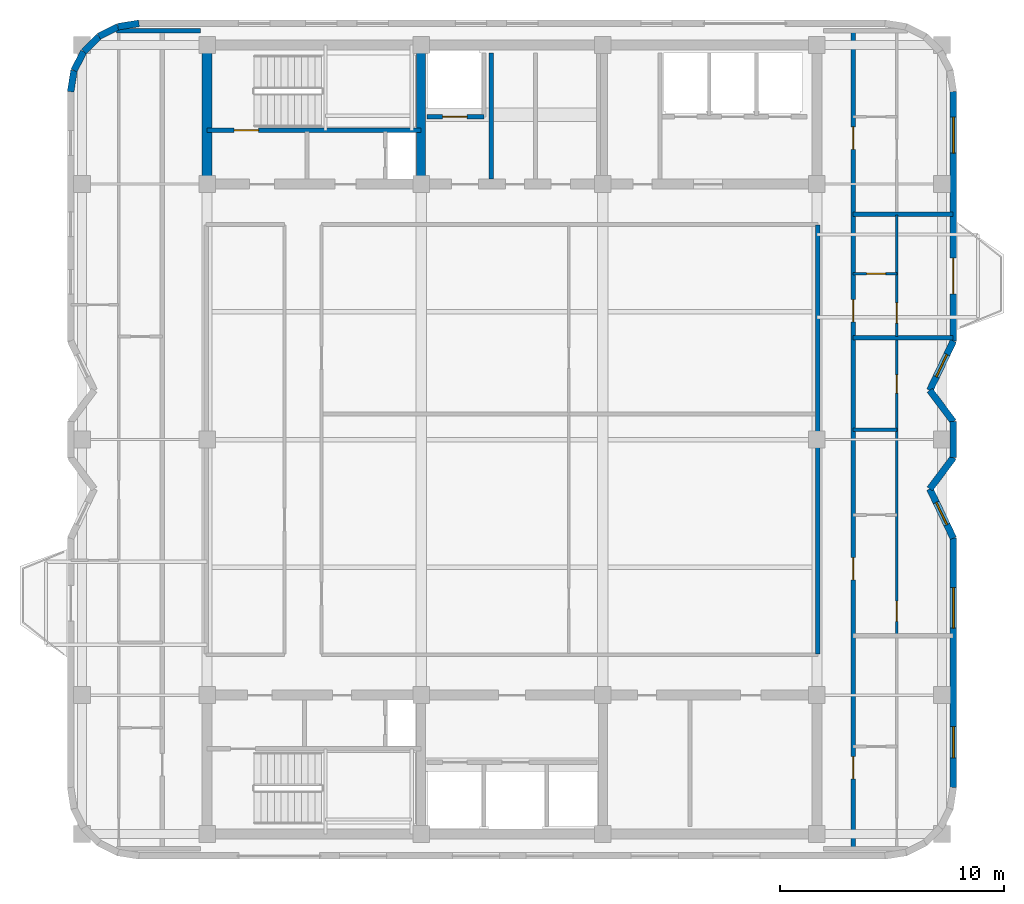
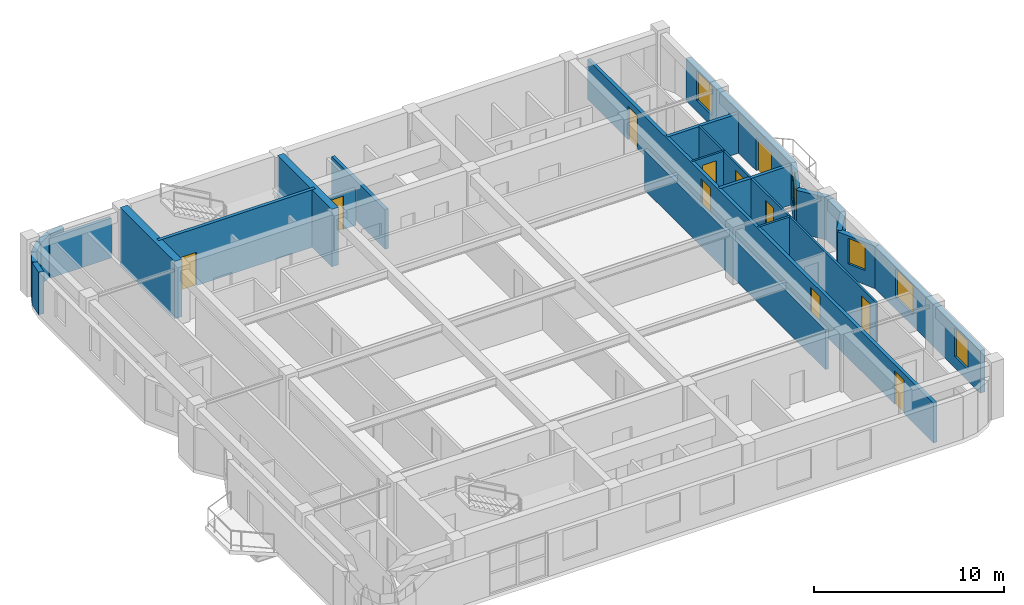
# One storey, part 8 of 11: 26 walls, 11 doors, 5 windows, 16 openings.
"""IFC4 building model written with IfcOpenShell, lengths in metres."""

import ifcopenshell
import ifcopenshell.guid

model = None  # the IFC model being written
_history = None  # IfcOwnerHistory: only IFC2X3 demands one
_inside = {}  # id of a spatial element -> (the spatial element, [elements in it])
_under = {}  # id of a project, library or spatial element -> (it, [spatial elements below it])
_declared = {}  # id of a project -> (the project, [libraries it declares])
_typed = {}  # id of a type object -> (the type object, [elements of that type])
_made_of = {}  # id of a material, layer set ... -> (it, [elements and type objects made of it])


def new_model(schema):
    """Start an empty IFC model of exactly this schema.

    Asked for "IFC4X3", IfcOpenShell would pick the latest addendum, in which some entities
    have other attributes; the version numbers below select the first issue.
    IFC2X3 requires an IfcOwnerHistory on every rooted entity: one is made here for all.
    """
    global model, _history
    if schema == "IFC4X3":
        model = ifcopenshell.file(schema_version=(4, 3, 0, 0))
    else:
        model = ifcopenshell.file(schema=schema)
    _inside.clear()
    _under.clear()
    _declared.clear()
    _typed.clear()
    _made_of.clear()
    _history = None
    if model.schema == "IFC2X3":
        org = make("IfcOrganization", Name="unknown")
        user = make(
            "IfcPersonAndOrganization",
            ThePerson=make("IfcPerson", FamilyName="unknown"),
            TheOrganization=org,
        )
        app = make(
            "IfcApplication",
            ApplicationDeveloper=org,
            Version="unknown",
            ApplicationFullName="unknown",
            ApplicationIdentifier="unknown",
        )
        _history = make(
            "IfcOwnerHistory",
            OwningUser=user,
            OwningApplication=app,
            ChangeAction="ADDED",
            CreationDate=0,
        )
    return model


def make(cls, **values):
    """One entity of the class cls with the attributes given. An attribute that is None is left unset."""
    return model.create_entity(
        cls, **{name: value for name, value in values.items() if value is not None}
    )


def rooted(cls, **values):
    """An entity with a GlobalId (a new one), such as an element, a storey or a relation."""
    return make(cls, GlobalId=ifcopenshell.guid.new(), OwnerHistory=_history, **values)


def si_unit(unit_type, name, prefix=None):
    """IfcSIUnit, for example si_unit("LENGTHUNIT", "METRE", prefix="MILLI")."""
    return make("IfcSIUnit", UnitType=unit_type, Prefix=prefix, Name=name)


def assignment(units):
    """IfcUnitAssignment: the units of a project."""
    return None if units is None else make("IfcUnitAssignment", Units=units)


def point(xyz):
    """IfcCartesianPoint."""
    return None if xyz is None else make("IfcCartesianPoint", Coordinates=xyz)


def direction(xyz):
    """IfcDirection."""
    return None if xyz is None else make("IfcDirection", DirectionRatios=xyz)


def frame(location, z_axis=None, x_axis=None):
    """IfcAxis2Placement3D, a coordinate frame: its origin and axes. An axis left out is left unset."""
    return make(
        "IfcAxis2Placement3D",
        Location=point(location),
        Axis=direction(z_axis),
        RefDirection=direction(x_axis),
    )


def frame_2d(location, x_axis=None):
    """IfcAxis2Placement2D, a coordinate frame in the plane: its origin and x axis."""
    return make(
        "IfcAxis2Placement2D", Location=point(location), RefDirection=direction(x_axis)
    )


def origin():
    """The frame at (0, 0, 0) with its axes left unset."""
    return frame((0.0, 0.0, 0.0))


def place(relative_to, where):
    """IfcLocalPlacement: puts the frame where relative to a parent placement (None: the world)."""
    return make(
        "IfcLocalPlacement", PlacementRelTo=relative_to, RelativePlacement=where
    )


def context(
    kind, dimensions, precision=None, world=None, true_north=None, identifier=None
):
    """IfcGeometricRepresentationContext, for example the 3D "Model" context."""
    return make(
        "IfcGeometricRepresentationContext",
        ContextIdentifier=identifier,
        ContextType=kind,
        CoordinateSpaceDimension=dimensions,
        Precision=precision,
        WorldCoordinateSystem=world,
        TrueNorth=true_north,
    )


def subcontext(parent, identifier, kind, view, scale=None):
    """IfcGeometricRepresentationSubContext, for example "Body" below "Model"."""
    return make(
        "IfcGeometricRepresentationSubContext",
        ContextIdentifier=identifier,
        ContextType=kind,
        ParentContext=parent,
        TargetScale=scale,
        TargetView=view,
    )


def project(units=None, contexts=None):
    """IfcProject with its units and contexts."""
    return rooted(
        "IfcProject",
        Name="project",
        RepresentationContexts=contexts,
        UnitsInContext=assignment(units),
    )


def spatial(cls, under=None, at=None, **own):
    """A site, building, storey or space (cls), placed at a placement, below another one or the project."""
    s = rooted(cls, ObjectPlacement=at, **own)
    if under is not None:
        _under.setdefault(under.id(), (under, []))[1].append(s)
    return s


def profile(cls, at=None, kind="AREA", **sizes):
    """A parametric profile (cls). Its sizes go by their IFC names, for example OverallWidth=200.0."""
    return make(cls, ProfileType=kind, Position=at, **sizes)


def rectangle(**sizes):
    """IfcRectangleProfileDef."""
    return profile("IfcRectangleProfileDef", **sizes)


def extrude(swept, where, along, depth):
    """IfcExtrudedAreaSolid: the profile swept, set in the frame where, extruded along a direction by depth."""
    return make(
        "IfcExtrudedAreaSolid",
        SweptArea=swept,
        Position=where,
        ExtrudedDirection=direction(along),
        Depth=depth,
    )


def shape(context_of_items, identifier, shape_type, items):
    """IfcShapeRepresentation: the items that make up one representation, for example the "Body"."""
    return make(
        "IfcShapeRepresentation",
        ContextOfItems=context_of_items,
        RepresentationIdentifier=identifier,
        RepresentationType=shape_type,
        Items=items,
    )


def material(Name=None, Category=None):
    """IfcMaterial."""
    return make("IfcMaterial", Name=Name, Category=Category)


def layer(
    of_material, thickness, ventilated=None, Name=None, Category=None, Priority=None
):
    """IfcMaterialLayer: one layer of a wall or slab, of a material (None: an air gap)."""
    return make(
        "IfcMaterialLayer",
        Material=of_material,
        LayerThickness=thickness,
        IsVentilated=ventilated,
        Name=Name,
        Category=Category,
        Priority=Priority,
    )


def layer_set(layers, Name=None):
    """IfcMaterialLayerSet."""
    return make("IfcMaterialLayerSet", MaterialLayers=layers, LayerSetName=Name)


def made_of(thing, what):
    """Note that an element or type object is made of a material, layer set ...; save() writes the relation."""
    if what is not None:
        _made_of.setdefault(what.id(), (what, []))[1].append(thing)
    return thing


def type_object(cls, material=None, **own):
    """A type object (cls), such as IfcWallType, which elements share."""
    return made_of(rooted(cls, **own), material)


def element(
    cls,
    number,
    at=None,
    inside=None,
    cuts=None,
    type_object=None,
    material=None,
    context=None,
    identifier="Body",
    shape_type=None,
    held_by="IfcProductDefinitionShape",
    body=None,
    shapes=None,
    **own,
):
    """One element of the class cls, such as IfcWall. Its Tag is "e" and its number.

    at: its placement. inside: the storey or other place that contains it. cuts: it is an
    opening in that element (IfcRelVoidsElement). A single representation is given by context,
    identifier, shape_type and body (its items); several are given by shapes. held_by: the class
    of the entity that holds the representations. save() writes the other relations.
    """
    e = rooted(cls, Tag="e%d" % number, ObjectPlacement=at, **own)
    if body is not None:
        shapes = [shape(context, identifier, shape_type, body)]
    if shapes is not None:
        e.Representation = make(held_by, Representations=shapes)
    if inside is not None:
        _inside.setdefault(inside.id(), (inside, []))[1].append(e)
    if cuts is not None:
        rooted(
            "IfcRelVoidsElement", RelatingBuildingElement=cuts, RelatedOpeningElement=e
        )
    if type_object is not None:
        _typed.setdefault(type_object.id(), (type_object, []))[1].append(e)
    return made_of(e, material)


def fill(opening, filler):
    """IfcRelFillsElement: the door or window that sits in an opening."""
    return rooted(
        "IfcRelFillsElement",
        RelatingOpeningElement=opening,
        RelatedBuildingElement=filler,
    )


def aggregate(whole, parts):
    """IfcRelAggregates: a whole, such as a stair, and the parts it consists of."""
    return rooted("IfcRelAggregates", RelatingObject=whole, RelatedObjects=parts)


def save(model, path):
    """Write the relations noted so far, then the file.

    IfcRelAggregates (storeys below a building ...), IfcRelContainedInSpatialStructure (elements
    in a storey), IfcRelDefinesByType, IfcRelAssociatesMaterial and IfcRelDeclares: one each for
    every whole, place, type object, material and project.
    """
    for whole, parts in _under.values():
        aggregate(whole, parts)
    for where, things in _inside.values():
        rooted(
            "IfcRelContainedInSpatialStructure",
            RelatedElements=things,
            RelatingStructure=where,
        )
    for kind, things in _typed.values():
        rooted("IfcRelDefinesByType", RelatedObjects=things, RelatingType=kind)
    for what, things in _made_of.values():
        rooted("IfcRelAssociatesMaterial", RelatedObjects=things, RelatingMaterial=what)
    for by, libraries in _declared.values():
        rooted("IfcRelDeclares", RelatingContext=by, RelatedDefinitions=libraries)
    model.write(path)


model = new_model("IFC4")

# Units and contexts
model_context = context("Model", 3, precision=1e-05, world=origin(), true_north=direction((0.0, 1.0)))
body_context = subcontext(model_context, "Body", "Model", "MODEL_VIEW")
ifc_project = project(units=[si_unit("LENGTHUNIT", "METRE"), si_unit("AREAUNIT", "SQUARE_METRE"), si_unit("VOLUMEUNIT", "CUBIC_METRE"), si_unit("PLANEANGLEUNIT", "RADIAN"), si_unit("MASSUNIT", "GRAM", prefix="KILO")], contexts=[model_context])

# Site, building, storey
site_placement = place(None, origin())
site = spatial("IfcSite", under=ifc_project, at=site_placement, CompositionType="ELEMENT")
building_placement = place(site_placement, origin())
building = spatial("IfcBuilding", under=site, at=building_placement, Name="Svetorya Sky Lyceum", CompositionType="ELEMENT")
storey_placement = place(building_placement, frame((0.0, 0.0, 275.0)))
storey = spatial("IfcBuildingStorey", under=building, at=storey_placement, Name="L69", CompositionType="ELEMENT", Elevation=275.0)

# Walls
ifc_material_1 = material(Name="Concrete C40/50", Category="concrete")
ifc_layer_1 = layer(ifc_material_1, 0.39990234375)
ifc_layer_set_1 = layer_set([ifc_layer_1], Name="Concrete C40/50")
wall_type_1 = type_object("IfcWallType", Name="WL-CORE-400", PredefinedType="SHEAR", material=ifc_layer_set_1)
wall_1_placement = place(storey_placement, frame((35.14990234375, 39.824951171875, 0.0), z_axis=(0.0, 0.0, 1.0), x_axis=(0.0, 1.0, 0.0)))
element("IfcWall", 1, at=wall_1_placement, inside=storey, type_object=wall_type_1, Name="L69 NC Internal Shear Web WEB1", PredefinedType="SHEAR", context=body_context, shape_type="SweptSolid", body=[
    extrude(rectangle(XDim=5.75, YDim=0.39990234375, at=frame_2d((2.875, 0.0))), origin(), (0.0, 0.0, 1.0), 3.699951171875),
])
ifc_material_2 = material(Name="Concrete C50/60", Category="concrete")
ifc_layer_2 = layer(ifc_material_2, 0.449951171875)
ifc_layer_set_2 = layer_set([ifc_layer_2], Name="Concrete C50/60")
wall_type_2 = type_object("IfcWallType", Name="WL-CORE-450", PredefinedType="SHEAR", material=ifc_layer_set_2)
wall_2_placement = place(storey_placement, frame((25.60009765625, 39.824951171875, 0.0), z_axis=(0.0, 0.0, 1.0), x_axis=(0.0, 1.0, 0.0)))
element("IfcWall", 2, at=wall_2_placement, inside=storey, type_object=wall_type_2, Name="L69 NC West Core Shear Wall", PredefinedType="SHEAR", context=body_context, shape_type="SweptSolid", body=[
    extrude(rectangle(XDim=5.75, YDim=0.449951171875, at=frame_2d((2.875, 0.0))), origin(), (0.0, 0.0, 1.0), 3.699951171875),
])

# Wall, openings, windows
ifc_material_3 = material(Name="Putilovo limestone rainscreen on autoclaved cellular masonry", Category="masonry")
ifc_layer_3 = layer(ifc_material_3, 0.300048828125)
ifc_layer_set_3 = layer_set([ifc_layer_3], Name="Putilovo limestone rainscreen on autoclaved cellular masonry")
wall_type_3 = type_object("IfcWallType", Name="WL-EXT-300", PredefinedType="SOLIDWALL", material=ifc_layer_set_3)
wall_3_placement = place(storey_placement, frame((58.889892578125, 12.679931640625, 0.0), z_axis=(0.0, 0.0, 1.0), x_axis=(0.0, 1.0, 0.0)))
wall_3 = element("IfcWall", 3, at=wall_3_placement, inside=storey, type_object=wall_type_3, Name="L69 Limestone Exterior Wall 12M", PredefinedType="SOLIDWALL", context=body_context, shape_type="SweptSolid", body=[
    extrude(rectangle(XDim=11.1201171875, YDim=0.300048828125, at=frame_2d((5.56005859375, 0.0))), origin(), (0.0, 0.0, 1.0), 2.72998046875),
])
opening_1_placement = place(wall_3_placement, frame((1.320068359375, 0.0, 0.719970703125)))
opening_1 = element("IfcOpeningElement", 4, at=opening_1_placement, cuts=wall_3, Name="Opening W-R2", PredefinedType="OPENING", context=body_context, shape_type="SweptSolid", body=[
    extrude(rectangle(XDim=1.39990234375, YDim=1.85009765625, at=frame_2d((0.699951171875, 0.925048828125))), frame((0.0, 0.159912109375, 0.0), z_axis=(0.0, -1.0, 0.0), x_axis=(1.0, 0.0, 0.0)), (0.0, 0.0, 1.0), 0.320068359375),
])
opening_2_placement = place(wall_3_placement, frame((7.114990234375, 0.0, 0.760009765625)))
opening_2 = element("IfcOpeningElement", 5, at=opening_2_placement, cuts=wall_3, Name="Opening W-R1", PredefinedType="OPENING", context=body_context, shape_type="SweptSolid", body=[
    extrude(rectangle(XDim=1.800048828125, YDim=1.85009765625, at=frame_2d((0.89990234375, 0.925048828125))), frame((0.0, 0.159912109375, 0.0), z_axis=(0.0, -1.0, 0.0), x_axis=(1.0, 0.0, 0.0)), (0.0, 0.0, 1.0), 0.320068359375),
])
ifc_material_4 = material(Name="Thermally broken aluminium frame with triple low-E glazing", Category="aluminium")
window_type_1 = type_object("IfcWindowType", Name="WN-RES-140", PartitioningType="SINGLE_PANEL", PredefinedType="WINDOW", material=ifc_material_4)
window_1_placement = place(opening_1_placement, origin())
window_1 = element("IfcWindow", 6, at=window_1_placement, inside=storey, type_object=window_type_1, Name="L69 Facade Window W-R2.12M.2", OverallHeight=1.85009765625, OverallWidth=1.39990234375, PartitioningType="SINGLE_PANEL", PredefinedType="WINDOW", context=body_context, shape_type="SweptSolid", body=[
    extrude(rectangle(XDim=1.39990234375, YDim=1.85009765625, at=frame_2d((0.699951171875, 0.925048828125))), frame((0.0, 0.030029296875, 0.0), z_axis=(0.0, -1.0, 0.0), x_axis=(1.0, 0.0, 0.0)), (0.0, 0.0, 1.0), 0.06005859375),
])
fill(opening_1, window_1)
window_type_2 = type_object("IfcWindowType", Name="WN-RES-180", PartitioningType="DOUBLE_PANEL_VERTICAL", PredefinedType="WINDOW", material=ifc_material_4)
window_2_placement = place(opening_2_placement, origin())
window_2 = element("IfcWindow", 7, at=window_2_placement, inside=storey, type_object=window_type_2, Name="L69 Facade Window W-R1.12M.1", OverallHeight=1.85009765625, OverallWidth=1.800048828125, PartitioningType="SINGLE_PANEL", PredefinedType="WINDOW", context=body_context, shape_type="SweptSolid", body=[
    extrude(rectangle(XDim=1.800048828125, YDim=1.85009765625, at=frame_2d((0.89990234375, 0.925048828125))), frame((0.0, 0.030029296875, 0.0), z_axis=(0.0, -1.0, 0.0), x_axis=(1.0, 0.0, 0.0)), (0.0, 0.0, 1.0), 0.06005859375),
])
fill(opening_2, window_2)

# Wall, opening, window
wall_4_placement = place(storey_placement, frame((58.889892578125, 23.800048828125, 0.0), z_axis=(0.0, 0.0, 1.0), x_axis=(-0.430672112392, 0.902508466225, 0.0)))
wall_4 = element("IfcWall", 8, at=wall_4_placement, inside=storey, type_object=wall_type_3, Name="L69 Limestone Exterior Wall 13M", PredefinedType="SOLIDWALL", context=body_context, shape_type="SweptSolid", body=[
    extrude(rectangle(XDim=2.4375, YDim=0.300048828125, at=frame_2d((1.21875, 0.0))), origin(), (0.0, 0.0, 1.0), 2.72998046875),
])
opening_3_placement = place(wall_4_placement, frame((0.6689453125, 0.0, 0.919921875)))
opening_3 = element("IfcOpeningElement", 9, at=opening_3_placement, cuts=wall_4, Name="Opening W-R3", PredefinedType="OPENING", context=body_context, shape_type="SweptSolid", body=[
    extrude(rectangle(XDim=1.10009765625, YDim=1.64990234375, at=frame_2d((0.550048828125, 0.824951171875))), frame((0.0, 0.159912109375, 0.0), z_axis=(0.0, -1.0, 0.0), x_axis=(1.0, 0.0, 0.0)), (0.0, 0.0, 1.0), 0.320068359375),
])
window_type_3 = type_object("IfcWindowType", Name="WN-RES-110", PartitioningType="SINGLE_PANEL", PredefinedType="WINDOW", material=ifc_material_4)
window_3_placement = place(opening_3_placement, origin())
window_3 = element("IfcWindow", 10, at=window_3_placement, inside=storey, type_object=window_type_3, Name="L69 Facade Window W-R3.13M.1", OverallHeight=1.64990234375, OverallWidth=1.10009765625, PartitioningType="SINGLE_PANEL", PredefinedType="WINDOW", context=body_context, shape_type="SweptSolid", body=[
    extrude(rectangle(XDim=1.10009765625, YDim=1.64990234375, at=frame_2d((0.550048828125, 0.824951171875))), frame((0.0, 0.030029296875, 0.0), z_axis=(0.0, -1.0, 0.0), x_axis=(1.0, 0.0, 0.0)), (0.0, 0.0, 1.0), 0.06005859375),
])
fill(opening_3, window_3)

# Walls
wall_5_placement = place(storey_placement, frame((57.840087890625, 26.0, 0.0), z_axis=(0.0, 0.0, 1.0), x_axis=(0.599955351225, 0.800033484634, 0.0)))
element("IfcWall", 11, at=wall_5_placement, inside=storey, type_object=wall_type_3, Name="L69 Limestone Exterior Wall 14M", PredefinedType="SOLIDWALL", context=body_context, shape_type="SweptSolid", body=[
    extrude(rectangle(XDim=1.749755859375, YDim=0.300048828125, at=frame_2d((0.875, 0.0))), origin(), (0.0, 0.0, 1.0), 2.72998046875),
])
wall_6_placement = place(storey_placement, frame((58.889892578125, 27.39990234375, 0.0), z_axis=(0.0, 0.0, 1.0), x_axis=(0.0, 1.0, 0.0)))
element("IfcWall", 12, at=wall_6_placement, inside=storey, type_object=wall_type_3, Name="L69 Limestone Exterior Wall 15M", PredefinedType="SOLIDWALL", context=body_context, shape_type="SweptSolid", body=[
    extrude(rectangle(XDim=1.60009765625, YDim=0.300048828125, at=frame_2d((0.800048828125, 0.0))), origin(), (0.0, 0.0, 1.0), 2.72998046875),
])
wall_7_placement = place(storey_placement, frame((58.889892578125, 29.0, 0.0), z_axis=(0.0, 0.0, 1.0), x_axis=(-0.599955351225, 0.800033484634, 0.0)))
element("IfcWall", 13, at=wall_7_placement, inside=storey, type_object=wall_type_3, Name="L69 Limestone Exterior Wall 16M", PredefinedType="SOLIDWALL", context=body_context, shape_type="SweptSolid", body=[
    extrude(rectangle(XDim=1.749755859375, YDim=0.300048828125, at=frame_2d((0.875, 0.0))), origin(), (0.0, 0.0, 1.0), 2.72998046875),
])

# Wall, opening, window
wall_8_placement = place(storey_placement, frame((57.840087890625, 30.39990234375, 0.0), z_axis=(0.0, 0.0, 1.0), x_axis=(0.430633186234, 0.902527040544, 0.0)))
wall_8 = element("IfcWall", 14, at=wall_8_placement, inside=storey, type_object=wall_type_3, Name="L69 Limestone Exterior Wall 17M", PredefinedType="SOLIDWALL", context=body_context, shape_type="SweptSolid", body=[
    extrude(rectangle(XDim=2.437744140625, YDim=0.300048828125, at=frame_2d((1.21875, 0.0))), origin(), (0.0, 0.0, 1.0), 2.72998046875),
])
opening_4_placement = place(wall_8_placement, frame((0.6689453125, 0.0, 0.919921875)))
opening_4 = element("IfcOpeningElement", 15, at=opening_4_placement, cuts=wall_8, Name="Opening W-R3", PredefinedType="OPENING", context=body_context, shape_type="SweptSolid", body=[
    extrude(rectangle(XDim=1.10009765625, YDim=1.64990234375, at=frame_2d((0.550048828125, 0.824951171875))), frame((0.0, 0.159912109375, 0.0), z_axis=(0.0, -1.0, 0.0), x_axis=(1.0, 0.0, 0.0)), (0.0, 0.0, 1.0), 0.320068359375),
])
window_4_placement = place(opening_4_placement, origin())
window_4 = element("IfcWindow", 16, at=window_4_placement, inside=storey, type_object=window_type_3, Name="L69 Facade Window W-R3.17M.1", OverallHeight=1.64990234375, OverallWidth=1.10009765625, PartitioningType="SINGLE_PANEL", PredefinedType="WINDOW", context=body_context, shape_type="SweptSolid", body=[
    extrude(rectangle(XDim=1.10009765625, YDim=1.64990234375, at=frame_2d((0.550048828125, 0.824951171875))), frame((0.0, 0.030029296875, 0.0), z_axis=(0.0, -1.0, 0.0), x_axis=(1.0, 0.0, 0.0)), (0.0, 0.0, 1.0), 0.06005859375),
])
fill(opening_4, window_4)

# Wall, openings, door, window
wall_9_placement = place(storey_placement, frame((58.889892578125, 32.60009765625, 0.0), z_axis=(0.0, 0.0, 1.0), x_axis=(0.0, 1.0, 0.0)))
wall_9 = element("IfcWall", 17, at=wall_9_placement, inside=storey, type_object=wall_type_3, Name="L69 Limestone Exterior Wall 18M", PredefinedType="SOLIDWALL", context=body_context, shape_type="SweptSolid", body=[
    extrude(rectangle(XDim=11.119873046875, YDim=0.300048828125, at=frame_2d((5.56005859375, 0.0))), origin(), (0.0, 0.0, 1.0), 2.72998046875),
])
opening_5_placement = place(wall_9_placement, frame((2.10009765625, 0.0, 0.0)))
opening_5 = element("IfcOpeningElement", 18, at=opening_5_placement, cuts=wall_9, Name="Opening D-BL1", PredefinedType="OPENING", context=body_context, shape_type="SweptSolid", body=[
    extrude(rectangle(XDim=1.60009765625, YDim=2.10009765625, at=frame_2d((0.800048828125, 1.050048828125))), frame((0.0, 0.159912109375, 0.0), z_axis=(0.0, -1.0, 0.0), x_axis=(1.0, 0.0, 0.0)), (0.0, 0.0, 1.0), 0.320068359375),
])
opening_6_placement = place(wall_9_placement, frame((8.38330078125, 0.0, 0.7099609375)))
opening_6 = element("IfcOpeningElement", 19, at=opening_6_placement, cuts=wall_9, Name="Opening W-R4", PredefinedType="OPENING", context=body_context, shape_type="SweptSolid", body=[
    extrude(rectangle(XDim=1.60009765625, YDim=1.89990234375, at=frame_2d((0.800048828125, 0.949951171875))), frame((0.0, 0.159912109375, 0.0), z_axis=(0.0, -1.0, 0.0), x_axis=(1.0, 0.0, 0.0)), (0.0, 0.0, 1.0), 0.320068359375),
])
ifc_material_5 = material(Name="Insulated glazed aluminium balcony door", Category="aluminium")
door_type_1 = type_object("IfcDoorType", Name="DR-BAL-1600", OperationType="DOUBLE_DOOR_SINGLE_SWING", PredefinedType="DOOR", material=ifc_material_5)
door_1_placement = place(opening_5_placement, origin())
door_1 = element("IfcDoor", 20, at=door_1_placement, inside=storey, type_object=door_type_1, Name="L69 Balcony BAL-E1 Door", OperationType="DOUBLE_DOOR_SINGLE_SWING", OverallHeight=2.10009765625, OverallWidth=1.60009765625, PredefinedType="DOOR", context=body_context, shape_type="SweptSolid", body=[
    extrude(rectangle(XDim=1.60009765625, YDim=2.10009765625, at=frame_2d((0.800048828125, 1.050048828125))), frame((0.0, 0.02490234375, 0.0), z_axis=(0.0, -1.0, 0.0), x_axis=(1.0, 0.0, 0.0)), (0.0, 0.0, 1.0), 0.050048828125),
])
fill(opening_5, door_1)
window_type_4 = type_object("IfcWindowType", Name="WN-RES-160", PartitioningType="DOUBLE_PANEL_VERTICAL", PredefinedType="WINDOW", material=ifc_material_4)
window_5_placement = place(opening_6_placement, origin())
window_5 = element("IfcWindow", 21, at=window_5_placement, inside=storey, type_object=window_type_4, Name="L69 Facade Window W-R4.18M.1", OverallHeight=1.89990234375, OverallWidth=1.60009765625, PartitioningType="SINGLE_PANEL", PredefinedType="WINDOW", context=body_context, shape_type="SweptSolid", body=[
    extrude(rectangle(XDim=1.60009765625, YDim=1.89990234375, at=frame_2d((0.800048828125, 0.949951171875))), frame((0.0, 0.030029296875, 0.0), z_axis=(0.0, -1.0, 0.0), x_axis=(1.0, 0.0, 0.0)), (0.0, 0.0, 1.0), 0.06005859375),
])
fill(opening_6, window_5)

# Walls
wall_10_placement = place(storey_placement, frame((22.56005859375, 46.77001953125, 0.0), z_axis=(0.0, 0.0, 1.0), x_axis=(-0.987669453596, -0.156553666304, 0.0)))
element("IfcWall", 22, at=wall_10_placement, inside=storey, type_object=wall_type_3, Name="L69 Limestone Exterior Wall 25M", PredefinedType="SOLIDWALL", context=body_context, shape_type="SweptSolid", body=[
    extrude(rectangle(XDim=0.954345703125, YDim=0.300048828125, at=frame_2d((0.47705078125, 0.0))), origin(), (0.0, 0.0, 1.0), 2.72998046875),
])
wall_11_placement = place(storey_placement, frame((21.617431640625, 46.62060546875, 0.0), z_axis=(0.0, 0.0, 1.0), x_axis=(-0.891023873617, -0.45395644796, 0.0)))
element("IfcWall", 23, at=wall_11_placement, inside=storey, type_object=wall_type_3, Name="L69 Limestone Exterior Wall 26M", PredefinedType="SOLIDWALL", context=body_context, shape_type="SweptSolid", body=[
    extrude(rectangle(XDim=0.9541015625, YDim=0.300048828125, at=frame_2d((0.47705078125, 0.0))), origin(), (0.0, 0.0, 1.0), 2.72998046875),
])
wall_12_placement = place(storey_placement, frame((20.767333984375, 46.1875, 0.0), z_axis=(0.0, 0.0, 1.0), x_axis=(-0.707106781187, -0.707106781187, 0.0)))
element("IfcWall", 24, at=wall_12_placement, inside=storey, type_object=wall_type_3, Name="L69 Limestone Exterior Wall 27M", PredefinedType="SOLIDWALL", context=body_context, shape_type="SweptSolid", body=[
    extrude(rectangle(XDim=0.954345703125, YDim=0.300048828125, at=frame_2d((0.47705078125, 0.0))), origin(), (0.0, 0.0, 1.0), 2.72998046875),
])
wall_13_placement = place(storey_placement, frame((20.092529296875, 45.5126953125, 0.0), z_axis=(0.0, 0.0, 1.0), x_axis=(-0.454159573051, -0.890920356825, 0.0)))
element("IfcWall", 25, at=wall_13_placement, inside=storey, type_object=wall_type_3, Name="L69 Limestone Exterior Wall 28M", PredefinedType="SOLIDWALL", context=body_context, shape_type="SweptSolid", body=[
    extrude(rectangle(XDim=0.9541015625, YDim=0.300048828125, at=frame_2d((0.47705078125, 0.0))), origin(), (0.0, 0.0, 1.0), 2.72998046875),
])
wall_14_placement = place(storey_placement, frame((19.6591796875, 44.66259765625, 0.0), z_axis=(0.0, 0.0, 1.0), x_axis=(-0.156304114255, -0.987708977314, 0.0)))
element("IfcWall", 26, at=wall_14_placement, inside=storey, type_object=wall_type_3, Name="L69 Limestone Exterior Wall 29M", PredefinedType="SOLIDWALL", context=body_context, shape_type="SweptSolid", body=[
    extrude(rectangle(XDim=0.954345703125, YDim=0.300048828125, at=frame_2d((0.47705078125, 0.0))), origin(), (0.0, 0.0, 1.0), 2.72998046875),
])

# Wall, openings, doors
ifc_material_6 = material(Name="Twin-stud galvanized framing with double fireboard", Category="gypsum")
ifc_layer_4 = layer(ifc_material_6, 0.1201171875)
ifc_layer_set_4 = layer_set([ifc_layer_4], Name="Twin-stud galvanized framing with double fireboard")
wall_type_4 = type_object("IfcWallType", Name="WL-PART-120", PredefinedType="PARTITIONING", material=ifc_layer_set_4)
wall_15_placement = place(storey_placement, frame((56.3701171875, 19.47998046875, 0.0), z_axis=(0.0, 0.0, 1.0), x_axis=(0.0, 1.0, 0.0)))
wall_15 = element("IfcWall", 27, at=wall_15_placement, inside=storey, type_object=wall_type_4, Name="L69 Interior Partition E2-WV", PredefinedType="PARTITIONING", context=body_context, shape_type="SweptSolid", body=[
    extrude(rectangle(XDim=13.22998046875, YDim=0.1201171875, at=frame_2d((6.614990234375, 0.0))), origin(), (0.0, 0.0, 1.0), 2.56005859375),
])
opening_7_placement = place(wall_15_placement, frame((0.610107421875, 0.0, 0.0)))
opening_7 = element("IfcOpeningElement", 28, at=opening_7_placement, cuts=wall_15, Name="Opening D-RM1", PredefinedType="OPENING", context=body_context, shape_type="SweptSolid", body=[
    extrude(rectangle(XDim=0.89990234375, YDim=2.10009765625, at=frame_2d((0.449951171875, 1.050048828125))), frame((0.0, 0.070068359375, 0.0), z_axis=(0.0, -1.0, 0.0), x_axis=(1.0, 0.0, 0.0)), (0.0, 0.0, 1.0), 0.14013671875),
])
opening_8_placement = place(wall_15_placement, frame((10.7900390625, 0.0, 0.0)))
opening_8 = element("IfcOpeningElement", 29, at=opening_8_placement, cuts=wall_15, Name="Opening D-BT2", PredefinedType="OPENING", context=body_context, shape_type="SweptSolid", body=[
    extrude(rectangle(XDim=0.820068359375, YDim=2.080078125, at=frame_2d((0.41015625, 1.0400390625))), frame((0.0, 0.070068359375, 0.0), z_axis=(0.0, -1.0, 0.0), x_axis=(1.0, 0.0, 0.0)), (0.0, 0.0, 1.0), 0.14013671875),
])
ifc_material_7 = material(Name="Lacquered birch veneer internal door")
door_type_2 = type_object("IfcDoorType", Name="DR-INT-900", OperationType="SINGLE_SWING_LEFT", PredefinedType="DOOR", material=ifc_material_7)
door_2_placement = place(opening_7_placement, origin())
door_2 = element("IfcDoor", 30, at=door_2_placement, inside=storey, type_object=door_type_2, Name="Apartment E2 Living Door", OperationType="SINGLE_SWING_RIGHT", OverallHeight=2.10009765625, OverallWidth=0.89990234375, PredefinedType="DOOR", context=body_context, shape_type="SweptSolid", body=[
    extrude(rectangle(XDim=0.89990234375, YDim=2.10009765625, at=frame_2d((0.449951171875, 1.050048828125))), frame((0.0, 0.02490234375, 0.0), z_axis=(0.0, -1.0, 0.0), x_axis=(1.0, 0.0, 0.0)), (0.0, 0.0, 1.0), 0.050048828125),
])
fill(opening_7, door_2)
ifc_material_8 = material(Name="Compact moisture-resistant laminate closet door")
door_type_3 = type_object("IfcDoorType", Name="DR-WET-820", OperationType="SINGLE_SWING_LEFT", PredefinedType="DOOR", material=ifc_material_8)
door_3_placement = place(opening_8_placement, origin())
door_3 = element("IfcDoor", 31, at=door_3_placement, inside=storey, type_object=door_type_3, Name="Apartment E2 Study Door", OperationType="SINGLE_SWING_LEFT", OverallHeight=2.080078125, OverallWidth=0.820068359375, PredefinedType="DOOR", context=body_context, shape_type="SweptSolid", body=[
    extrude(rectangle(XDim=0.820068359375, YDim=2.080078125, at=frame_2d((0.41015625, 1.0400390625))), frame((0.0, 0.02490234375, 0.0), z_axis=(0.0, -1.0, 0.0), x_axis=(1.0, 0.0, 0.0)), (0.0, 0.0, 1.0), 0.050048828125),
])
fill(opening_8, door_3)

# Wall, opening, door
wall_16_placement = place(storey_placement, frame((54.419921875, 35.60009765625, 0.0), z_axis=(0.0, 0.0, 1.0), x_axis=(1.0, 0.0, 0.0)))
wall_16 = element("IfcWall", 32, at=wall_16_placement, inside=storey, type_object=wall_type_4, Name="L69 Interior Partition E3-WH1", PredefinedType="PARTITIONING", context=body_context, shape_type="SweptSolid", body=[
    extrude(rectangle(XDim=1.9501953125, YDim=0.1201171875, at=frame_2d((0.97509765625, 0.0))), origin(), (0.0, 0.0, 1.0), 2.56005859375),
])
opening_9_placement = place(wall_16_placement, frame((0.60009765625, 0.0, 0.0)))
opening_9 = element("IfcOpeningElement", 33, at=opening_9_placement, cuts=wall_16, Name="Opening D-BT1", PredefinedType="OPENING", context=body_context, shape_type="SweptSolid", body=[
    extrude(rectangle(XDim=0.85009765625, YDim=2.10009765625, at=frame_2d((0.425048828125, 1.050048828125))), frame((0.0, 0.070068359375, 0.0), z_axis=(0.0, -1.0, 0.0), x_axis=(1.0, 0.0, 0.0)), (0.0, 0.0, 1.0), 0.14013671875),
])
ifc_material_9 = material(Name="Moisture-resistant laminate bathroom door")
door_type_4 = type_object("IfcDoorType", Name="DR-WET-850", OperationType="SINGLE_SWING_LEFT", PredefinedType="DOOR", material=ifc_material_9)
door_4_placement = place(opening_9_placement, origin())
door_4 = element("IfcDoor", 34, at=door_4_placement, inside=storey, type_object=door_type_4, Name="Apartment E3 Bathroom Door", OperationType="SINGLE_SWING_RIGHT", OverallHeight=2.10009765625, OverallWidth=0.85009765625, PredefinedType="DOOR", context=body_context, shape_type="SweptSolid", body=[
    extrude(rectangle(XDim=0.85009765625, YDim=2.10009765625, at=frame_2d((0.425048828125, 1.050048828125))), frame((0.0, 0.02490234375, 0.0), z_axis=(0.0, -1.0, 0.0), x_axis=(1.0, 0.0, 0.0)), (0.0, 0.0, 1.0), 0.050048828125),
])
fill(opening_9, door_4)

wall_17_placement = place(storey_placement, frame((56.3701171875, 32.7900390625, 0.0), z_axis=(0.0, 0.0, 1.0), x_axis=(0.0, 1.0, 0.0)))
wall_17 = element("IfcWall", 35, at=wall_17_placement, inside=storey, type_object=wall_type_4, Name="L69 Interior Partition E3-WV", PredefinedType="PARTITIONING", context=body_context, shape_type="SweptSolid", body=[
    extrude(rectangle(XDim=5.419921875, YDim=0.1201171875, at=frame_2d((2.7099609375, 0.0))), origin(), (0.0, 0.0, 1.0), 2.56005859375),
])
opening_10_placement = place(wall_17_placement, frame((0.610107421875, 0.0, 0.0)))
opening_10 = element("IfcOpeningElement", 36, at=opening_10_placement, cuts=wall_17, Name="Opening D-RM1", PredefinedType="OPENING", context=body_context, shape_type="SweptSolid", body=[
    extrude(rectangle(XDim=0.89990234375, YDim=2.10009765625, at=frame_2d((0.449951171875, 1.050048828125))), frame((0.0, 0.070068359375, 0.0), z_axis=(0.0, -1.0, 0.0), x_axis=(1.0, 0.0, 0.0)), (0.0, 0.0, 1.0), 0.14013671875),
])
door_5_placement = place(opening_10_placement, origin())
door_5 = element("IfcDoor", 37, at=door_5_placement, inside=storey, type_object=door_type_2, Name="Apartment E3 Living Door", OperationType="SINGLE_SWING_LEFT", OverallHeight=2.10009765625, OverallWidth=0.89990234375, PredefinedType="DOOR", context=body_context, shape_type="SweptSolid", body=[
    extrude(rectangle(XDim=0.89990234375, YDim=2.10009765625, at=frame_2d((0.449951171875, 1.050048828125))), frame((0.0, 0.02490234375, 0.0), z_axis=(0.0, -1.0, 0.0), x_axis=(1.0, 0.0, 0.0)), (0.0, 0.0, 1.0), 0.050048828125),
])
fill(opening_10, door_5)

# Wall
ifc_material_10 = material(Name="Twin-stud galvanized framing with acoustic board", Category="gypsum")
ifc_layer_5 = layer(ifc_material_10, 0.135009765625)
ifc_layer_set_5 = layer_set([ifc_layer_5], Name="Twin-stud galvanized framing with acoustic board")
wall_type_5 = type_object("IfcWallType", Name="WL-PART-135", PredefinedType="PARTITIONING", material=ifc_layer_set_5)
wall_18_placement = place(storey_placement, frame((54.419921875, 28.639892578125, 0.0), z_axis=(0.0, 0.0, 1.0), x_axis=(1.0, 0.0, 0.0)))
element("IfcWall", 38, at=wall_18_placement, inside=storey, type_object=wall_type_5, Name="L69 Interior Partition E2-WH2", PredefinedType="PARTITIONING", context=body_context, shape_type="SweptSolid", body=[
    extrude(rectangle(XDim=1.9501953125, YDim=0.135009765625, at=frame_2d((0.97509765625, 0.0))), origin(), (0.0, 0.0, 1.0), 2.56005859375),
])

# Wall, opening, door
ifc_material_11 = material(Name="Autoclaved cellular masonry blockwork with gypsum plaster", Category="masonry")
ifc_layer_6 = layer(ifc_material_11, 0.199951171875)
ifc_layer_set_6 = layer_set([ifc_layer_6], Name="Autoclaved cellular masonry blockwork with gypsum plaster")
wall_type_6 = type_object("IfcWallType", Name="WL-PART-200", PredefinedType="PARTITIONING", material=ifc_layer_set_6)
wall_19_placement = place(storey_placement, frame((37.949951171875, 42.60009765625, 0.0), z_axis=(0.0, 0.0, 1.0), x_axis=(-1.0, 0.0, 0.0)))
wall_19 = element("IfcWall", 39, at=wall_19_placement, inside=storey, type_object=wall_type_6, Name="L69 Interior Partition NC-FL1W", PredefinedType="PARTITIONING", context=body_context, shape_type="SweptSolid", body=[
    extrude(rectangle(XDim=2.550048828125, YDim=0.199951171875, at=frame_2d((1.27490234375, 0.0))), origin(), (0.0, 0.0, 1.0), 2.330078125),
])
opening_11_placement = place(wall_19_placement, frame((0.75, 0.0, 0.0)))
opening_11 = element("IfcOpeningElement", 40, at=opening_11_placement, cuts=wall_19, Name="Opening LD-FL", PredefinedType="OPENING", context=body_context, shape_type="SweptSolid", body=[
    extrude(rectangle(XDim=1.10009765625, YDim=2.14990234375, at=frame_2d((0.550048828125, 1.074951171875))), frame((0.0, 0.10986328125, 0.0), z_axis=(0.0, -1.0, 0.0), x_axis=(1.0, 0.0, 0.0)), (0.0, 0.0, 1.0), 0.219970703125),
])
ifc_material_12 = material(Name="Fire-rated stainless AISI 304 firefighting lift landing door")
door_type_5 = type_object("IfcDoorType", Name="DR-LIFT-1100", OperationType="SLIDING_TO_LEFT", PredefinedType="DOOR", material=ifc_material_12)
door_6_placement = place(opening_11_placement, origin())
door_6 = element("IfcDoor", 41, at=door_6_placement, inside=storey, type_object=door_type_5, Name="L69 Firefighting Lift FL1 Landing Door", OperationType="SLIDING_TO_LEFT", OverallHeight=2.14990234375, OverallWidth=1.10009765625, PredefinedType="DOOR", context=body_context, shape_type="SweptSolid", body=[
    extrude(rectangle(XDim=1.10009765625, YDim=2.14990234375, at=frame_2d((0.550048828125, 1.074951171875))), frame((0.0, 0.02490234375, 0.0), z_axis=(0.0, -1.0, 0.0), x_axis=(1.0, 0.0, 0.0)), (0.0, 0.0, 1.0), 0.050048828125),
])
fill(opening_11, door_6)

# Walls
wall_20_placement = place(storey_placement, frame((38.280029296875, 39.820068359375, 0.0), z_axis=(0.0, 0.0, 1.0), x_axis=(0.0, 1.0, 0.0)))
element("IfcWall", 42, at=wall_20_placement, inside=storey, type_object=wall_type_6, Name="L69 Interior Partition NC-FFLDIV", PredefinedType="PARTITIONING", context=body_context, shape_type="SweptSolid", body=[
    extrude(rectangle(XDim=5.6298828125, YDim=0.199951171875, at=frame_2d((2.81494140625, 0.0))), origin(), (0.0, 0.0, 1.0), 2.56005859375),
])
wall_21_placement = place(storey_placement, frame((52.85009765625, 18.6298828125, 0.0), z_axis=(0.0, 0.0, 1.0), x_axis=(0.0, 1.0, 0.0)))
element("IfcWall", 43, at=wall_21_placement, inside=storey, type_object=wall_type_6, Name="L69 Interior Partition E-CEN-SEP", PredefinedType="PARTITIONING", context=body_context, shape_type="SweptSolid", body=[
    extrude(rectangle(XDim=19.14013671875, YDim=0.199951171875, at=frame_2d((9.570068359375, 0.0))), origin(), (0.0, 0.0, 1.0), 2.56005859375),
])
wall_22_placement = place(storey_placement, frame((21.5458984375, 46.449951171875, 0.0), z_axis=(0.0, 0.0, 1.0), x_axis=(1.0, 0.0, 0.0)))
element("IfcWall", 44, at=wall_22_placement, inside=storey, type_object=wall_type_6, Name="L69 Interior Partition W-CAP-N", PredefinedType="PARTITIONING", context=body_context, shape_type="SweptSolid", body=[
    extrude(rectangle(XDim=3.754150390625, YDim=0.199951171875, at=frame_2d((1.876953125, 0.0))), origin(), (0.0, 0.0, 1.0), 2.56005859375),
])
for number, where, z_axis, x_axis, name in (
    (45, (54.419921875, 32.75, 0.0), (0.0, 0.0, 1.0), (1.0, 0.0, 0.0), "L69 Interior Partition E-PARTY-2"),
    (46, (54.419921875, 38.25, 0.0), (0.0, 0.0, 1.0), (1.0, 0.0, 0.0), "L69 Interior Partition E-PARTY-3"),
):
    element("IfcWall", number, at=place(storey_placement, frame(where, z_axis=z_axis, x_axis=x_axis)), inside=storey, type_object=wall_type_6, Name=name, PredefinedType="PARTITIONING", context=body_context, shape_type="SweptSolid", body=[
        extrude(rectangle(XDim=4.4501953125, YDim=0.199951171875, at=frame_2d((2.22509765625, 0.0))), origin(), (0.0, 0.0, 1.0), 2.56005859375),
    ])

# Wall, openings, doors
wall_23_placement = place(storey_placement, frame((54.419921875, 9.949951171875, 0.0), z_axis=(0.0, 0.0, 1.0), x_axis=(0.0, 1.0, 0.0)))
wall_23 = element("IfcWall", 47, at=wall_23_placement, inside=storey, type_object=wall_type_6, Name="L69 Interior Partition E-CORRW", PredefinedType="PARTITIONING", context=body_context, shape_type="SweptSolid", body=[
    extrude(rectangle(XDim=36.5, YDim=0.199951171875, at=frame_2d((18.25, 0.0))), origin(), (0.0, 0.0, 1.0), 2.56005859375),
])
opening_12_placement = place(wall_23_placement, frame((3.110107421875, 0.0, 0.0)))
opening_12 = element("IfcOpeningElement", 48, at=opening_12_placement, cuts=wall_23, Name="Opening D-APT1", PredefinedType="OPENING", context=body_context, shape_type="SweptSolid", body=[
    extrude(rectangle(XDim=1.0, YDim=2.14990234375, at=frame_2d((0.5, 1.074951171875))), frame((0.0, 0.10986328125, 0.0), z_axis=(0.0, -1.0, 0.0), x_axis=(1.0, 0.0, 0.0)), (0.0, 0.0, 1.0), 0.219970703125),
])
opening_13_placement = place(wall_23_placement, frame((11.989990234375, 0.0, 0.0)))
opening_13 = element("IfcOpeningElement", 49, at=opening_13_placement, cuts=wall_23, Name="Opening D-APT1", PredefinedType="OPENING", context=body_context, shape_type="SweptSolid", body=[
    extrude(rectangle(XDim=1.0, YDim=2.14990234375, at=frame_2d((0.5, 1.074951171875))), frame((0.0, 0.10986328125, 0.0), z_axis=(0.0, -1.0, 0.0), x_axis=(1.0, 0.0, 0.0)), (0.0, 0.0, 1.0), 0.219970703125),
])
opening_14_placement = place(wall_23_placement, frame((23.5, 0.0, 0.0)))
opening_14 = element("IfcOpeningElement", 50, at=opening_14_placement, cuts=wall_23, Name="Opening D-APT1", PredefinedType="OPENING", context=body_context, shape_type="SweptSolid", body=[
    extrude(rectangle(XDim=1.0, YDim=2.14990234375, at=frame_2d((0.5, 1.074951171875))), frame((0.0, 0.10986328125, 0.0), z_axis=(0.0, -1.0, 0.0), x_axis=(1.0, 0.0, 0.0)), (0.0, 0.0, 1.0), 0.219970703125),
])
opening_15_placement = place(wall_23_placement, frame((31.199951171875, 0.0, 0.0)))
opening_15 = element("IfcOpeningElement", 51, at=opening_15_placement, cuts=wall_23, Name="Opening D-APT1", PredefinedType="OPENING", context=body_context, shape_type="SweptSolid", body=[
    extrude(rectangle(XDim=1.0, YDim=2.14990234375, at=frame_2d((0.5, 1.074951171875))), frame((0.0, 0.10986328125, 0.0), z_axis=(0.0, -1.0, 0.0), x_axis=(1.0, 0.0, 0.0)), (0.0, 0.0, 1.0), 0.219970703125),
])
ifc_material_13 = material(Name="Insulated oak-veneered apartment entrance door")
door_type_6 = type_object("IfcDoorType", Name="DR-APT-1000", OperationType="SINGLE_SWING_LEFT", PredefinedType="DOOR", material=ifc_material_13)
door_7_placement = place(opening_12_placement, origin())
door_7 = element("IfcDoor", 52, at=door_7_placement, inside=storey, type_object=door_type_6, Name="L69 Apartment E1 Entrance Door", OperationType="SINGLE_SWING_RIGHT", OverallHeight=2.14990234375, OverallWidth=1.0, PredefinedType="DOOR", context=body_context, shape_type="SweptSolid", body=[
    extrude(rectangle(XDim=1.0, YDim=2.14990234375, at=frame_2d((0.5, 1.074951171875))), frame((0.0, 0.02490234375, 0.0), z_axis=(0.0, -1.0, 0.0), x_axis=(1.0, 0.0, 0.0)), (0.0, 0.0, 1.0), 0.050048828125),
])
fill(opening_12, door_7)
door_8_placement = place(opening_13_placement, origin())
door_8 = element("IfcDoor", 53, at=door_8_placement, inside=storey, type_object=door_type_6, Name="L69 Apartment E2 Entrance Door", OperationType="SINGLE_SWING_LEFT", OverallHeight=2.14990234375, OverallWidth=1.0, PredefinedType="DOOR", context=body_context, shape_type="SweptSolid", body=[
    extrude(rectangle(XDim=1.0, YDim=2.14990234375, at=frame_2d((0.5, 1.074951171875))), frame((0.0, 0.02490234375, 0.0), z_axis=(0.0, -1.0, 0.0), x_axis=(1.0, 0.0, 0.0)), (0.0, 0.0, 1.0), 0.050048828125),
])
fill(opening_13, door_8)
door_9_placement = place(opening_14_placement, origin())
door_9 = element("IfcDoor", 54, at=door_9_placement, inside=storey, type_object=door_type_6, Name="L69 Apartment E3 Entrance Door", OperationType="SINGLE_SWING_RIGHT", OverallHeight=2.14990234375, OverallWidth=1.0, PredefinedType="DOOR", context=body_context, shape_type="SweptSolid", body=[
    extrude(rectangle(XDim=1.0, YDim=2.14990234375, at=frame_2d((0.5, 1.074951171875))), frame((0.0, 0.02490234375, 0.0), z_axis=(0.0, -1.0, 0.0), x_axis=(1.0, 0.0, 0.0)), (0.0, 0.0, 1.0), 0.050048828125),
])
fill(opening_14, door_9)
door_10_placement = place(opening_15_placement, origin())
door_10 = element("IfcDoor", 55, at=door_10_placement, inside=storey, type_object=door_type_6, Name="L69 Apartment E4 Entrance Door", OperationType="SINGLE_SWING_LEFT", OverallHeight=2.14990234375, OverallWidth=1.0, PredefinedType="DOOR", context=body_context, shape_type="SweptSolid", body=[
    extrude(rectangle(XDim=1.0, YDim=2.14990234375, at=frame_2d((0.5, 1.074951171875))), frame((0.0, 0.02490234375, 0.0), z_axis=(0.0, -1.0, 0.0), x_axis=(1.0, 0.0, 0.0)), (0.0, 0.0, 1.0), 0.050048828125),
])
fill(opening_15, door_10)

# Wall, opening, door
ifc_layer_7 = layer(ifc_material_2, 0.199951171875)
ifc_layer_set_7 = layer_set([ifc_layer_7], Name="Concrete C50/60")
wall_type_7 = type_object("IfcWallType", Name="WL-SHW-200", PredefinedType="SHEAR", material=ifc_layer_set_7)
wall_24_placement = place(storey_placement, frame((35.14990234375, 42.0, 0.0), z_axis=(0.0, 0.0, 1.0), x_axis=(-1.0, 0.0, 0.0)))
wall_24 = element("IfcWall", 56, at=wall_24_placement, inside=storey, type_object=wall_type_7, Name="L69 Structural Stair Shaft Wall NC-STW", PredefinedType="SHEAR", context=body_context, shape_type="SweptSolid", body=[
    extrude(rectangle(XDim=9.5498046875, YDim=0.199951171875, at=frame_2d((4.77490234375, 0.0))), origin(), (0.0, 0.0, 1.0), 3.699951171875),
])
opening_16_placement = place(wall_24_placement, frame((7.25, 0.0, 0.0)))
opening_16 = element("IfcOpeningElement", 57, at=opening_16_placement, cuts=wall_24, Name="Opening D-ST1", PredefinedType="OPENING", context=body_context, shape_type="SweptSolid", body=[
    extrude(rectangle(XDim=1.10009765625, YDim=2.14990234375, at=frame_2d((0.550048828125, 1.074951171875))), frame((0.0, 0.10986328125, 0.0), z_axis=(0.0, -1.0, 0.0), x_axis=(1.0, 0.0, 0.0)), (0.0, 0.0, 1.0), 0.219970703125),
])
ifc_material_14 = material(Name="Powder-coated insulated galvanized stair fire door")
door_type_7 = type_object("IfcDoorType", Name="DR-FIRE-1100", OperationType="SINGLE_SWING_LEFT", PredefinedType="DOOR", material=ifc_material_14)
door_11_placement = place(opening_16_placement, origin())
door_11 = element("IfcDoor", 58, at=door_11_placement, inside=storey, type_object=door_type_7, Name="L69 Stair ST-N Vestibule Fire Door", OperationType="SINGLE_SWING_RIGHT", OverallHeight=2.14990234375, OverallWidth=1.10009765625, PredefinedType="DOOR", context=body_context, shape_type="SweptSolid", body=[
    extrude(rectangle(XDim=1.10009765625, YDim=2.14990234375, at=frame_2d((0.550048828125, 1.074951171875))), frame((0.0, 0.02490234375, 0.0), z_axis=(0.0, -1.0, 0.0), x_axis=(1.0, 0.0, 0.0)), (0.0, 0.0, 1.0), 0.050048828125),
])
fill(opening_16, door_11)

save(model, "model.ifc")
